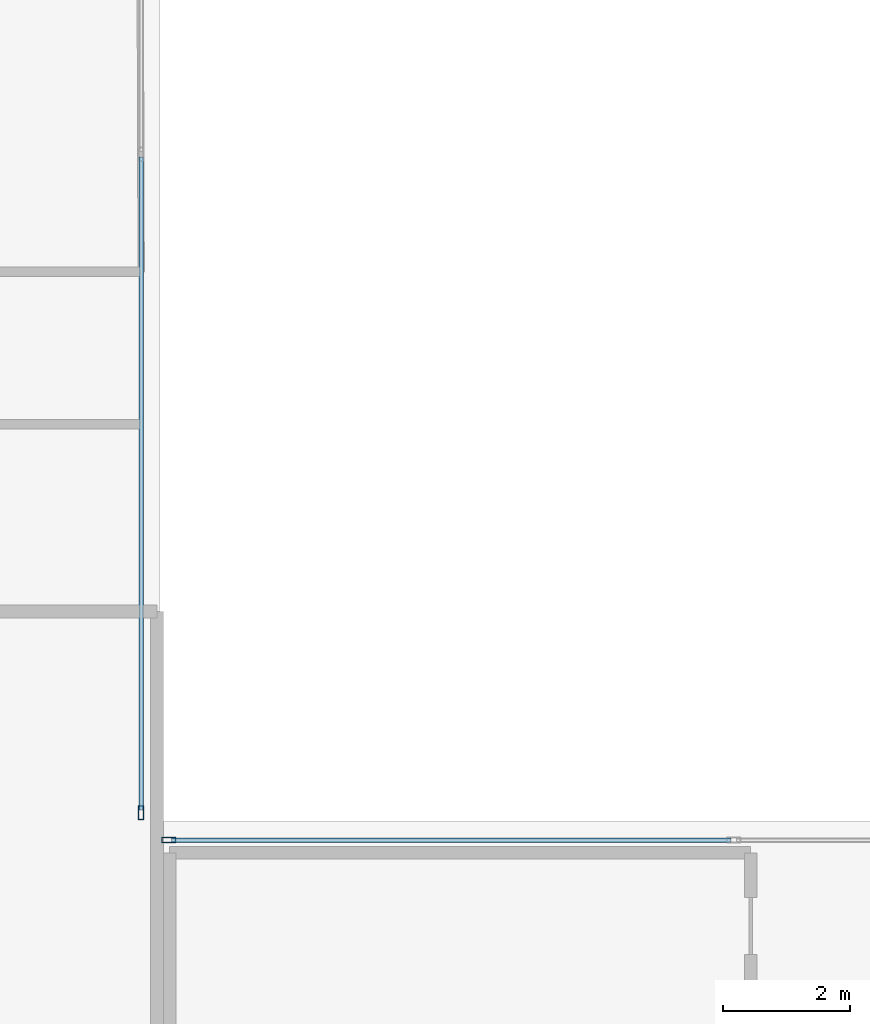
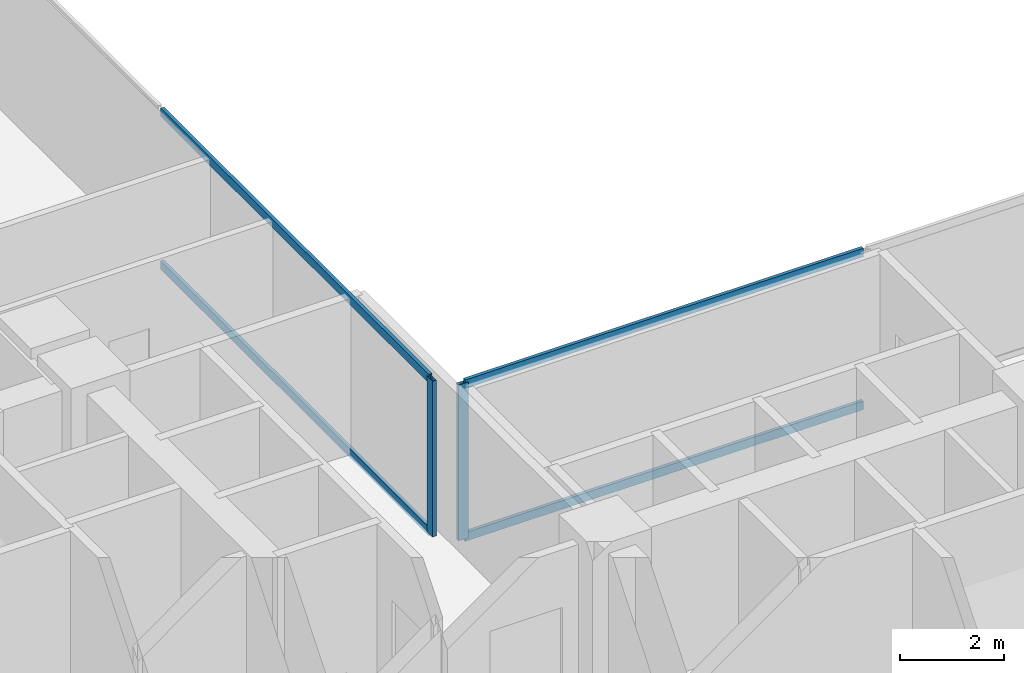
# One storey, part 7 of 25: 6 members, 2 elements without a shape of their own.
"""IFC4 building model written with IfcOpenShell, lengths in metres."""

from ifc_helpers import new_model, si_unit, direction, frame, origin, origin_2d, place, context, subcontext, project, spatial, hollow_rectangle, extrude, material, layer, layer_set, material_profile, profile_set, type_object, element, aggregate, save


model = new_model("IFC4")

# Units and contexts
model_context = context("Model", 3, precision=1e-05, world=origin(), true_north=direction((0.0, 1.0)))
body_context = subcontext(model_context, "Body", "Model", "MODEL_VIEW")
ifc_project = project(units=[si_unit("LENGTHUNIT", "METRE"), si_unit("AREAUNIT", "SQUARE_METRE"), si_unit("VOLUMEUNIT", "CUBIC_METRE"), si_unit("PLANEANGLEUNIT", "RADIAN"), si_unit("MASSUNIT", "GRAM", prefix="KILO"), si_unit("THERMODYNAMICTEMPERATUREUNIT", "KELVIN"), si_unit("POWERUNIT", "WATT")], contexts=[model_context])

# Site, building, storey
site_placement = place(None, origin())
site = spatial("IfcSite", under=ifc_project, at=site_placement, CompositionType="ELEMENT")
building_placement = place(site_placement, origin())
building = spatial("IfcBuilding", under=site, at=building_placement, Name="Svarakhadi Broadcast Tower", CompositionType="ELEMENT")
storey_placement = place(building_placement, frame((0.0, 0.0, 36.300048828125)))
storey = spatial("IfcBuildingStorey", under=building, at=storey_placement, Name="L07", CompositionType="ELEMENT", Elevation=36.300048828125)

# Curtain wall, member
ifc_material = material(Name="Anodised Bronze Aluminium AA 6063-T6", Category="aluminium")
ifc_layer = layer(ifc_material, 0.219970703125)
ifc_layer_set = layer_set([ifc_layer], Name="Anodised Bronze Aluminium AA 6063-T6")
curtain_wall_type = type_object("IfcCurtainWallType", Name="CW_Sys_02", PredefinedType="NOTDEFINED", material=ifc_layer_set)
curtain_wall_1_placement = place(storey_placement, origin())
curtain_wall_1 = element("IfcCurtainWall", 1, at=curtain_wall_1_placement, inside=storey, type_object=curtain_wall_type, Name="L07 Unitised Facade Curtain Wall 09", PredefinedType="NOTDEFINED")
ifc_material_profile_1 = material_profile(ifc_material, hollow_rectangle(XDim=0.0849609375, YDim=0.219970703125, WallThickness=0.006103515625, at=origin_2d()), Name="ALU MULLION 220x85x6")
ifc_profile_set_1 = profile_set([ifc_material_profile_1], Name="Anodised Bronze Aluminium AA 6063-T6")
member_type_1 = type_object("IfcMemberType", Name="CW_Sys_02_Mul", PredefinedType="MULLION", material=ifc_profile_set_1)
member_1_placement = place(storey_placement, frame((23.699951171875, 24.132568359375, 0.0), z_axis=(0.0, 0.0, 1.0), x_axis=(1.0, 0.0, 0.0)))
member_1 = element("IfcMember", 2, at=member_1_placement, type_object=member_type_1, Name="CW-02 mullion 3", PredefinedType="MULLION", context=body_context, shape_type="SweptSolid", body=[
    extrude(hollow_rectangle(XDim=0.0849609375, YDim=0.219970703125, WallThickness=0.006103515625, at=origin_2d()), origin(), (0.0, 0.0, 1.0), 3.64990234375),
])

curtain_wall_2_placement = place(storey_placement, origin())
curtain_wall_2 = element("IfcCurtainWall", 3, at=curtain_wall_2_placement, inside=storey, type_object=curtain_wall_type, Name="L07 Unitised Facade Curtain Wall 10", PredefinedType="NOTDEFINED")
member_2_placement = place(storey_placement, frame((24.132568359375, 23.699951171875, 0.0), z_axis=(0.0, 0.0, 1.0), x_axis=(0.0, 1.0, 0.0)))
member_2 = element("IfcMember", 4, at=member_2_placement, type_object=member_type_1, Name="CW-02 mullion 1", PredefinedType="MULLION", context=body_context, shape_type="SweptSolid", body=[
    extrude(hollow_rectangle(XDim=0.0849609375, YDim=0.219970703125, WallThickness=0.006103515625, at=origin_2d()), origin(), (0.0, 0.0, 1.0), 3.64990234375),
])

# Member
ifc_material_profile_2 = material_profile(ifc_material, hollow_rectangle(XDim=0.074951171875, YDim=0.199951171875, WallThickness=0.0048828125, at=origin_2d()), Name="ALU TRANSOM 200x75x5")
ifc_profile_set_2 = profile_set([ifc_material_profile_2], Name="Anodised Bronze Aluminium AA 6063-T6")
member_type_2 = type_object("IfcMemberType", Name="CW_Sys_02_Trn", PredefinedType="USERDEFINED", material=ifc_profile_set_2)
member_3_placement = place(storey_placement, frame((23.699951171875, 34.45751953125, 0.037353515625), z_axis=(0.0, -1.0, 0.0), x_axis=(1.0, 0.0, 0.0)))
member_3 = element("IfcMember", 5, at=member_3_placement, type_object=member_type_2, Name="CW-02 transom 2.1", ObjectType="TRANSOM", PredefinedType="USERDEFINED", context=body_context, shape_type="SweptSolid", body=[
    extrude(hollow_rectangle(XDim=0.074951171875, YDim=0.199951171875, WallThickness=0.0048828125, at=origin_2d()), origin(), (0.0, 0.0, 1.0), 10.282470703125),
])

member_4_placement = place(storey_placement, frame((23.699951171875, 34.45751953125, 3.612548828125), z_axis=(0.0, -1.0, 0.0), x_axis=(1.0, 0.0, 0.0)))
member_4 = element("IfcMember", 6, at=member_4_placement, type_object=member_type_2, Name="CW-02 transom 2.2", ObjectType="TRANSOM", PredefinedType="USERDEFINED", context=body_context, shape_type="SweptSolid", body=[
    extrude(hollow_rectangle(XDim=0.074951171875, YDim=0.199951171875, WallThickness=0.0048828125, at=origin_2d()), origin(), (0.0, 0.0, 1.0), 10.282470703125),
])

aggregate(curtain_wall_1, [member_1, member_3, member_4])

member_5_placement = place(storey_placement, frame((24.175048828125, 23.699951171875, 0.037353515625), z_axis=(1.0, 0.0, 0.0), x_axis=(0.0, 1.0, 0.0)))
member_5 = element("IfcMember", 7, at=member_5_placement, type_object=member_type_2, Name="CW-02 transom 1.1", ObjectType="TRANSOM", PredefinedType="USERDEFINED", context=body_context, shape_type="SweptSolid", body=[
    extrude(hollow_rectangle(XDim=0.074951171875, YDim=0.199951171875, WallThickness=0.0048828125, at=origin_2d()), origin(), (0.0, 0.0, 1.0), 8.8125),
])

member_6_placement = place(storey_placement, frame((24.175048828125, 23.699951171875, 3.612548828125), z_axis=(1.0, 0.0, 0.0), x_axis=(0.0, 1.0, 0.0)))
member_6 = element("IfcMember", 8, at=member_6_placement, type_object=member_type_2, Name="CW-02 transom 1.2", ObjectType="TRANSOM", PredefinedType="USERDEFINED", context=body_context, shape_type="SweptSolid", body=[
    extrude(hollow_rectangle(XDim=0.074951171875, YDim=0.199951171875, WallThickness=0.0048828125, at=origin_2d()), origin(), (0.0, 0.0, 1.0), 8.8125),
])

aggregate(curtain_wall_2, [member_2, member_5, member_6])

save(model, "model.ifc")
